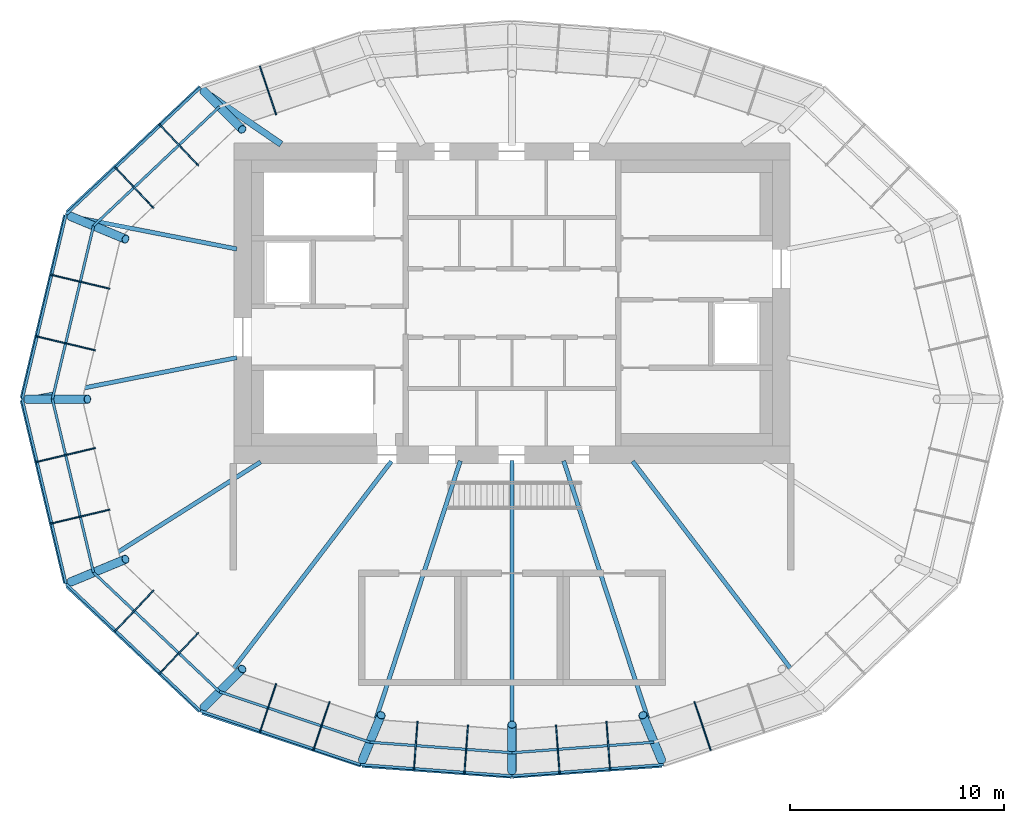
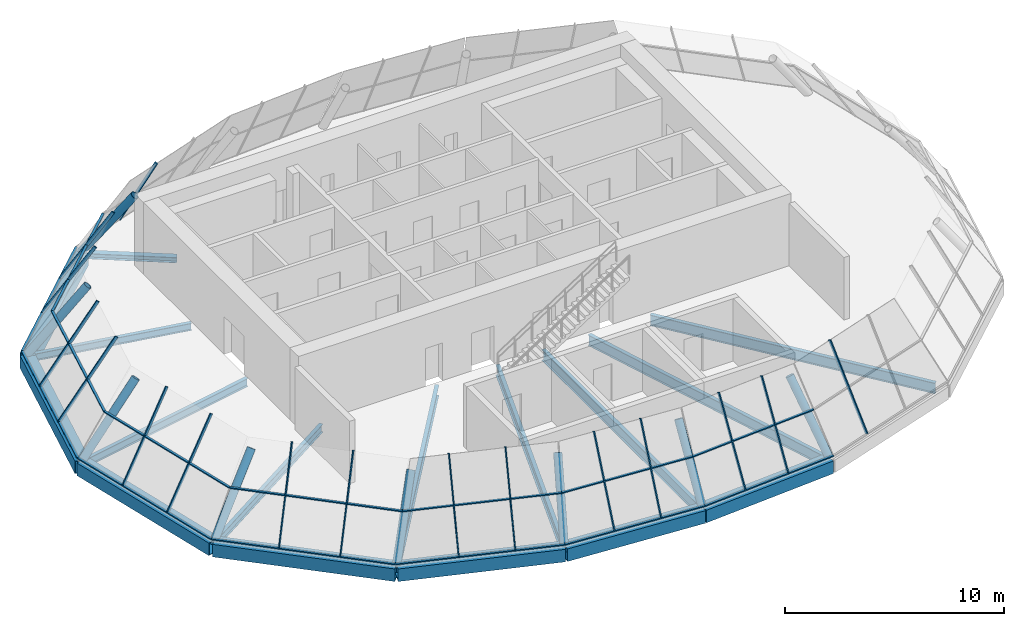
# One storey, part 1 of 8: 38 members, 16 beams, 9 elements without a shape of their own.
"""IFC4 building model written with IfcOpenShell, lengths in metres."""

from ifc_helpers import new_model, si_unit, direction, frame, origin, origin_2d, place, context, subcontext, project, spatial, rectangle, hollow_rectangle, hollow_circle, i_section, extrude, material, material_profile, profile_set, type_object, element, aggregate, save


model = new_model("IFC4")

# Units and contexts
model_context = context("Model", 3, precision=1e-05, world=origin(), true_north=direction((0.0, 1.0)))
body_context = subcontext(model_context, "Body", "Model", "MODEL_VIEW")
ifc_project = project(units=[si_unit("LENGTHUNIT", "METRE"), si_unit("AREAUNIT", "SQUARE_METRE"), si_unit("VOLUMEUNIT", "CUBIC_METRE"), si_unit("PLANEANGLEUNIT", "RADIAN"), si_unit("MASSUNIT", "GRAM", prefix="KILO")], contexts=[model_context])

# Site, building, storey
site_placement = place(None, origin())
site = spatial("IfcSite", under=ifc_project, at=site_placement, CompositionType="ELEMENT")
building_placement = place(site_placement, origin())
building = spatial("IfcBuilding", under=site, at=building_placement, Name="Rubra Terraces Tower", CompositionType="ELEMENT")
storey_placement = place(building_placement, frame((0.0, 0.0, 316.199951171875)))
storey = spatial("IfcBuildingStorey", under=building, at=storey_placement, Name="L78", CompositionType="ELEMENT", Elevation=316.199951171875)

# Members
ifc_material_1 = material(Name="Steel Q355B", Category="steel")
ifc_material_profile_1 = material_profile(ifc_material_1, hollow_circle(Radius=0.202880859375, WallThickness=0.01611328125, at=origin_2d()), Name="CHS 406x16")
ifc_profile_set_1 = profile_set([ifc_material_profile_1], Name="Steel Q355B")
member_type_1 = type_object("IfcMemberType", Name="CROWN POST CHS 406x16", PredefinedType="POST", material=ifc_profile_set_1)
member_1_placement = place(storey_placement, frame((-14.418212890625, 14.418212890625, -0.199951171875), z_axis=(0.407027405897, -0.407027405897, 0.817714731247), x_axis=(0.707106781187, 0.707106781187, 0.0)))
element("IfcMember", 1, at=member_1_placement, inside=storey, type_object=member_type_1, Name="CROWN POST", PredefinedType="POST", context=body_context, shape_type="SweptSolid", body=[
    extrude(hollow_circle(Radius=0.202880859375, WallThickness=0.01611328125, at=origin_2d()), origin(), (0.0, 0.0, 1.0), 4.402587890625),
])
member_2_placement = place(storey_placement, frame((-20.649658203125, 8.5537109375, -0.199951171875), z_axis=(0.563914666972, -0.233612582079, 0.792101893615), x_axis=(0.382727451417, 0.923861297994, 0.0)))
element("IfcMember", 2, at=member_2_placement, inside=storey, type_object=member_type_1, Name="CROWN POST", PredefinedType="POST", context=body_context, shape_type="SweptSolid", body=[
    extrude(hollow_circle(Radius=0.202880859375, WallThickness=0.01611328125, at=origin_2d()), origin(), (0.0, 0.0, 1.0), 4.544921875),
])
member_3_placement = place(storey_placement, frame((-22.68408203125, 0.0, -0.199951171875), z_axis=(0.615998522019, 0.0, 0.787747307752), x_axis=(0.0, 1.0, 0.0)))
element("IfcMember", 3, at=member_3_placement, inside=storey, type_object=member_type_1, Name="CROWN POST", PredefinedType="POST", context=body_context, shape_type="SweptSolid", body=[
    extrude(hollow_circle(Radius=0.202880859375, WallThickness=0.01611328125, at=origin_2d()), origin(), (0.0, 0.0, 1.0), 4.570068359375),
])
member_4_placement = place(storey_placement, frame((-20.649658203125, -8.5537109375, -0.199951171875), z_axis=(0.563914666972, 0.233612582079, 0.792101893615), x_axis=(-0.382727451417, 0.923861297994, 0.0)))
element("IfcMember", 4, at=member_4_placement, inside=storey, type_object=member_type_1, Name="CROWN POST", PredefinedType="POST", context=body_context, shape_type="SweptSolid", body=[
    extrude(hollow_circle(Radius=0.202880859375, WallThickness=0.01611328125, at=origin_2d()), origin(), (0.0, 0.0, 1.0), 4.544921875),
])
member_5_placement = place(storey_placement, frame((-14.418212890625, -14.418212890625, -0.199951171875), z_axis=(0.407027405897, 0.407027405897, 0.817714731247), x_axis=(-0.707106781187, 0.707106781187, 0.0)))
element("IfcMember", 5, at=member_5_placement, inside=storey, type_object=member_type_1, Name="CROWN POST", PredefinedType="POST", context=body_context, shape_type="SweptSolid", body=[
    extrude(hollow_circle(Radius=0.202880859375, WallThickness=0.01611328125, at=origin_2d()), origin(), (0.0, 0.0, 1.0), 4.402587890625),
])
member_6_placement = place(storey_placement, frame((-6.994873046875, -16.8876953125, -0.199951171875), z_axis=(0.204367805696, 0.493200756675, 0.845568928953), x_axis=(-0.923828290314, 0.382807118554, 0.0)))
element("IfcMember", 6, at=member_6_placement, inside=storey, type_object=member_type_1, Name="CROWN POST", PredefinedType="POST", context=body_context, shape_type="SweptSolid", body=[
    extrude(hollow_circle(Radius=0.202880859375, WallThickness=0.01611328125, at=origin_2d()), origin(), (0.0, 0.0, 1.0), 4.257568359375),
])
member_7_placement = place(storey_placement, frame((0.0, -17.39599609375, -0.199951171875), z_axis=(0.0, 0.515537908607, 0.856866771902), x_axis=(-1.0, 0.0, 0.0)))
element("IfcMember", 7, at=member_7_placement, inside=storey, type_object=member_type_1, Name="CROWN POST", PredefinedType="POST", context=body_context, shape_type="SweptSolid", body=[
    extrude(hollow_circle(Radius=0.202880859375, WallThickness=0.01611328125, at=origin_2d()), origin(), (0.0, 0.0, 1.0), 4.201416015625),
])
member_8_placement = place(storey_placement, frame((6.994873046875, -16.8876953125, -0.199951171875), z_axis=(-0.204367805696, 0.493200756675, 0.845568928953), x_axis=(-0.923828290314, -0.382807118554, 0.0)))
element("IfcMember", 8, at=member_8_placement, inside=storey, type_object=member_type_1, Name="CROWN POST", PredefinedType="POST", context=body_context, shape_type="SweptSolid", body=[
    extrude(hollow_circle(Radius=0.202880859375, WallThickness=0.01611328125, at=origin_2d()), origin(), (0.0, 0.0, 1.0), 4.257568359375),
])

# Beams
ifc_material_profile_2 = material_profile(ifc_material_1, hollow_rectangle(XDim=0.699951171875, YDim=0.699951171875, WallThickness=0.034912109375, at=origin_2d()), Name="BOX 700x700x35")
ifc_profile_set_2 = profile_set([ifc_material_profile_2], Name="Steel Q355B")
beam_type_1 = type_object("IfcBeamType", Name="CROWN RING GIRDER BOX 700x700x35", PredefinedType="BEAM", material=ifc_profile_set_2)
beam_1_placement = place(storey_placement, frame((-14.41796875, 14.41796875, -0.550048828125), z_axis=(-0.728277884999, -0.685281929005, 0.0), x_axis=(0.685281929005, -0.728277884999, 0.0)))
element("IfcBeam", 9, at=beam_1_placement, inside=storey, type_object=beam_type_1, Name="CROWN RING GIRDER", PredefinedType="BEAM", context=body_context, shape_type="SweptSolid", body=[
    extrude(hollow_rectangle(XDim=0.699951171875, YDim=0.699951171875, WallThickness=0.034912109375, at=origin_2d()), origin(), (0.0, 0.0, 1.0), 8.55712890625),
])
for number, where, z_axis, x_axis, name in (
    (10, (-20.64990234375, 8.553955078125, -0.550048828125), (-0.231353991916, -0.972869636912, 0.0), (0.972869636912, -0.231353991916, 0.0), "CROWN RING GIRDER"),
    (11, (-22.68408203125, 0.0, -0.550048828125), (0.231353991916, -0.972869636912, 0.0), (0.972869636912, 0.231353991916, 0.0), "CROWN RING GIRDER"),
):
    element("IfcBeam", number, at=place(storey_placement, frame(where, z_axis=z_axis, x_axis=x_axis)), inside=storey, type_object=beam_type_1, Name=name, PredefinedType="BEAM", context=body_context, shape_type="SweptSolid", body=[
        extrude(hollow_rectangle(XDim=0.699951171875, YDim=0.699951171875, WallThickness=0.034912109375, at=origin_2d()), origin(), (0.0, 0.0, 1.0), 8.79248046875),
    ])
beam_2_placement = place(storey_placement, frame((-20.64990234375, -8.553955078125, -0.550048828125), z_axis=(0.728277884999, -0.685281929005, 0.0), x_axis=(0.685281929005, 0.728277884999, 0.0)))
element("IfcBeam", 12, at=beam_2_placement, inside=storey, type_object=beam_type_1, Name="CROWN RING GIRDER", PredefinedType="BEAM", context=body_context, shape_type="SweptSolid", body=[
    extrude(hollow_rectangle(XDim=0.699951171875, YDim=0.699951171875, WallThickness=0.034912109375, at=origin_2d()), origin(), (0.0, 0.0, 1.0), 8.55712890625),
])
beam_3_placement = place(storey_placement, frame((-14.41796875, -14.41796875, -0.550048828125), z_axis=(0.948848570774, -0.315731515278, 0.0), x_axis=(0.315731515278, 0.948848570774, 0.0)))
element("IfcBeam", 13, at=beam_3_placement, inside=storey, type_object=beam_type_1, Name="CROWN RING GIRDER", PredefinedType="BEAM", context=body_context, shape_type="SweptSolid", body=[
    extrude(hollow_rectangle(XDim=0.699951171875, YDim=0.699951171875, WallThickness=0.034912109375, at=origin_2d()), origin(), (0.0, 0.0, 1.0), 7.822998046875),
])
for number, where, z_axis, x_axis, name in (
    (14, (-6.9951171875, -16.887939453125, -0.550048828125), (0.997372817782, -0.072439370159, 0.0), (0.072439370159, 0.997372817782, 0.0), "CROWN RING GIRDER"),
    (15, (0.0, -17.39599609375, -0.550048828125), (0.997372817782, 0.072439370159, 0.0), (-0.072439370159, 0.997372817782, 0.0), "CROWN RING GIRDER"),
):
    element("IfcBeam", number, at=place(storey_placement, frame(where, z_axis=z_axis, x_axis=x_axis)), inside=storey, type_object=beam_type_1, Name=name, PredefinedType="BEAM", context=body_context, shape_type="SweptSolid", body=[
        extrude(hollow_rectangle(XDim=0.699951171875, YDim=0.699951171875, WallThickness=0.034912109375, at=origin_2d()), origin(), (0.0, 0.0, 1.0), 7.013427734375),
    ])

# Curtain wall, member
ifc_material_2 = material(Name="Aluminium and glass", Category="aluminium")
curtain_wall_type = type_object("IfcCurtainWallType", Name="Curtain wall Crown glazing", PredefinedType="NOTDEFINED", material=ifc_material_2)
curtain_wall_1_placement = place(storey_placement, origin())
curtain_wall_1 = element("IfcCurtainWall", 16, at=curtain_wall_1_placement, inside=storey, type_object=curtain_wall_type, Name="Crown glazing L78 facet 6", PredefinedType="NOTDEFINED")
ifc_material_3 = material(Name="Aluminium, anodised dark grey", Category="aluminium")
ifc_material_profile_3 = material_profile(ifc_material_3, rectangle(XDim=0.06005859375, YDim=0.159912109375, at=origin_2d()), Name="AL 60x160")
ifc_profile_set_3 = profile_set([ifc_material_profile_3], Name="Aluminium, anodised dark grey")
member_type_2 = type_object("IfcMemberType", Name="Crown glazing mullion 60 x 160", PredefinedType="MULLION", material=ifc_profile_set_3)
member_9_placement = place(storey_placement, frame((-11.779296875, 15.525146484375, 0.0), z_axis=(0.151440150676, -0.45048458195, 0.879846306004), x_axis=(0.947873095388, 0.318648073961, 0.0)))
member_9 = element("IfcMember", 17, at=member_9_placement, type_object=member_type_2, Name="Crown glazing L78 facet 6 mullion 2", PredefinedType="MULLION", context=body_context, shape_type="SweptSolid", body=[
    extrude(rectangle(XDim=0.06005859375, YDim=0.159912109375, at=origin_2d()), origin(), (0.0, 0.0, 1.0), 4.7734375),
])
aggregate(curtain_wall_1, [member_9])

# Curtain wall, members
curtain_wall_2_placement = place(storey_placement, origin())
curtain_wall_2 = element("IfcCurtainWall", 18, at=curtain_wall_2_placement, inside=storey, type_object=curtain_wall_type, Name="Crown glazing L78 facet 7", PredefinedType="NOTDEFINED")
member_10_placement = place(storey_placement, frame((-16.45849609375, 12.809814453125, 0.0), z_axis=(0.354855679278, -0.375263987387, 0.856302742408), x_axis=(0.726588041538, 0.687073371551, 0.0)))
member_10 = element("IfcMember", 19, at=member_10_placement, type_object=member_type_2, Name="Crown glazing L78 facet 7 mullion 1", PredefinedType="MULLION", context=body_context, shape_type="SweptSolid", body=[
    extrude(rectangle(XDim=0.06005859375, YDim=0.159912109375, at=origin_2d()), origin(), (0.0, 0.0, 1.0), 4.90478515625),
])
member_11_placement = place(storey_placement, frame((-18.552490234375, 10.82958984375, 0.0), z_axis=(0.354862307471, -0.375221219487, 0.85631873691), x_axis=(0.72654253997, 0.687121486793, 0.0)))
member_11 = element("IfcMember", 20, at=member_11_placement, type_object=member_type_2, Name="Crown glazing L78 facet 7 mullion 2", PredefinedType="MULLION", context=body_context, shape_type="SweptSolid", body=[
    extrude(rectangle(XDim=0.06005859375, YDim=0.159912109375, at=origin_2d()), origin(), (0.0, 0.0, 1.0), 4.904541015625),
])

curtain_wall_3_placement = place(storey_placement, origin())
curtain_wall_3 = element("IfcCurtainWall", 21, at=curtain_wall_3_placement, inside=storey, type_object=curtain_wall_type, Name="Crown glazing L78 facet 8", PredefinedType="NOTDEFINED")
member_12_placement = place(storey_placement, frame((-21.536865234375, 5.812744140625, 0.0), z_axis=(0.531463799412, -0.126158745238, 0.837633691368), x_axis=(0.23096168003, 0.972962847368, 0.0)))
member_12 = element("IfcMember", 22, at=member_12_placement, type_object=member_type_2, Name="Crown glazing L78 facet 8 mullion 1", PredefinedType="MULLION", context=body_context, shape_type="SweptSolid", body=[
    extrude(rectangle(XDim=0.06005859375, YDim=0.159912109375, at=origin_2d()), origin(), (0.0, 0.0, 1.0), 5.01416015625),
])
member_13_placement = place(storey_placement, frame((-22.220947265625, 2.931884765625, 0.0), z_axis=(0.531463799412, -0.126158745238, 0.837633691368), x_axis=(0.23096168003, 0.972962847368, 0.0)))
member_13 = element("IfcMember", 23, at=member_13_placement, type_object=member_type_2, Name="Crown glazing L78 facet 8 mullion 2", PredefinedType="MULLION", context=body_context, shape_type="SweptSolid", body=[
    extrude(rectangle(XDim=0.06005859375, YDim=0.159912109375, at=origin_2d()), origin(), (0.0, 0.0, 1.0), 5.01416015625),
])

curtain_wall_4_placement = place(storey_placement, origin())
curtain_wall_4 = element("IfcCurtainWall", 24, at=curtain_wall_4_placement, inside=storey, type_object=curtain_wall_type, Name="Crown glazing L78 facet 9", PredefinedType="NOTDEFINED")
member_14_placement = place(storey_placement, frame((-22.220947265625, -2.931884765625, 0.0), z_axis=(0.531463799412, 0.126158745238, 0.837633691368), x_axis=(-0.23096168003, 0.972962847368, 0.0)))
member_14 = element("IfcMember", 25, at=member_14_placement, type_object=member_type_2, Name="Crown glazing L78 facet 9 mullion 1", PredefinedType="MULLION", context=body_context, shape_type="SweptSolid", body=[
    extrude(rectangle(XDim=0.06005859375, YDim=0.159912109375, at=origin_2d()), origin(), (0.0, 0.0, 1.0), 5.01416015625),
])
member_15_placement = place(storey_placement, frame((-21.536865234375, -5.812744140625, 0.0), z_axis=(0.531463799412, 0.126158745238, 0.837633691368), x_axis=(-0.23096168003, 0.972962847368, 0.0)))
member_15 = element("IfcMember", 26, at=member_15_placement, type_object=member_type_2, Name="Crown glazing L78 facet 9 mullion 2", PredefinedType="MULLION", context=body_context, shape_type="SweptSolid", body=[
    extrude(rectangle(XDim=0.06005859375, YDim=0.159912109375, at=origin_2d()), origin(), (0.0, 0.0, 1.0), 5.01416015625),
])

curtain_wall_5_placement = place(storey_placement, origin())
curtain_wall_5 = element("IfcCurtainWall", 27, at=curtain_wall_5_placement, inside=storey, type_object=curtain_wall_type, Name="Crown glazing L78 facet 10", PredefinedType="NOTDEFINED")
member_16_placement = place(storey_placement, frame((-18.552490234375, -10.82958984375, 0.0), z_axis=(0.354862307471, 0.375221219487, 0.85631873691), x_axis=(-0.72654253997, 0.687121486793, 0.0)))
member_16 = element("IfcMember", 28, at=member_16_placement, type_object=member_type_2, Name="Crown glazing L78 facet 10 mullion 1", PredefinedType="MULLION", context=body_context, shape_type="SweptSolid", body=[
    extrude(rectangle(XDim=0.06005859375, YDim=0.159912109375, at=origin_2d()), origin(), (0.0, 0.0, 1.0), 4.904541015625),
])
member_17_placement = place(storey_placement, frame((-16.45849609375, -12.809814453125, 0.0), z_axis=(0.354855679278, 0.375263987387, 0.856302742408), x_axis=(-0.726588041538, 0.687073371551, 0.0)))
member_17 = element("IfcMember", 29, at=member_17_placement, type_object=member_type_2, Name="Crown glazing L78 facet 10 mullion 2", PredefinedType="MULLION", context=body_context, shape_type="SweptSolid", body=[
    extrude(rectangle(XDim=0.06005859375, YDim=0.159912109375, at=origin_2d()), origin(), (0.0, 0.0, 1.0), 4.90478515625),
])

curtain_wall_6_placement = place(storey_placement, origin())
curtain_wall_6 = element("IfcCurtainWall", 30, at=curtain_wall_6_placement, inside=storey, type_object=curtain_wall_type, Name="Crown glazing L78 facet 11", PredefinedType="NOTDEFINED")
member_18_placement = place(storey_placement, frame((-11.779296875, -15.525146484375, 0.0), z_axis=(0.151440150676, 0.45048458195, 0.879846306004), x_axis=(-0.947873095388, 0.318648073961, 0.0)))
member_18 = element("IfcMember", 31, at=member_18_placement, type_object=member_type_2, Name="Crown glazing L78 facet 11 mullion 1", PredefinedType="MULLION", context=body_context, shape_type="SweptSolid", body=[
    extrude(rectangle(XDim=0.06005859375, YDim=0.159912109375, at=origin_2d()), origin(), (0.0, 0.0, 1.0), 4.7734375),
])
member_19_placement = place(storey_placement, frame((-9.279541015625, -16.365234375, 0.0), z_axis=(0.151390178125, 0.450488070583, 0.879853119691), x_axis=(-0.94790559539, 0.31855138083, 0.0)))
member_19 = element("IfcMember", 32, at=member_19_placement, type_object=member_type_2, Name="Crown glazing L78 facet 11 mullion 2", PredefinedType="MULLION", context=body_context, shape_type="SweptSolid", body=[
    extrude(rectangle(XDim=0.06005859375, YDim=0.159912109375, at=origin_2d()), origin(), (0.0, 0.0, 1.0), 4.7734375),
])

curtain_wall_7_placement = place(storey_placement, origin())
curtain_wall_7 = element("IfcCurtainWall", 33, at=curtain_wall_7_placement, inside=storey, type_object=curtain_wall_type, Name="Crown glazing L78 facet 12", PredefinedType="NOTDEFINED")
member_20_placement = place(storey_placement, frame((-4.585205078125, -17.28857421875, 0.0), z_axis=(0.033860993346, 0.456011942452, 0.889329264936), x_axis=(-0.997254474132, 0.074050751679, 0.0)))
member_20 = element("IfcMember", 34, at=member_20_placement, type_object=member_type_2, Name="Crown glazing L78 facet 12 mullion 1", PredefinedType="MULLION", context=body_context, shape_type="SweptSolid", body=[
    extrude(rectangle(XDim=0.06005859375, YDim=0.159912109375, at=origin_2d()), origin(), (0.0, 0.0, 1.0), 4.72265625),
])
member_21_placement = place(storey_placement, frame((-2.223876953125, -17.4638671875, 0.0), z_axis=(0.033861791571, 0.455970994889, 0.889350229601), x_axis=(-0.997253854091, 0.074059101409, 0.0)))
member_21 = element("IfcMember", 35, at=member_21_placement, type_object=member_type_2, Name="Crown glazing L78 facet 12 mullion 2", PredefinedType="MULLION", context=body_context, shape_type="SweptSolid", body=[
    extrude(rectangle(XDim=0.06005859375, YDim=0.159912109375, at=origin_2d()), origin(), (0.0, 0.0, 1.0), 4.722412109375),
])

curtain_wall_8_placement = place(storey_placement, origin())
curtain_wall_8 = element("IfcCurtainWall", 36, at=curtain_wall_8_placement, inside=storey, type_object=curtain_wall_type, Name="Crown glazing L78 facet 13", PredefinedType="NOTDEFINED")
member_22_placement = place(storey_placement, frame((2.223876953125, -17.4638671875, 0.0), z_axis=(-0.033861791571, 0.455970994889, 0.889350229601), x_axis=(-0.997253854091, -0.074059101409, 0.0)))
member_22 = element("IfcMember", 37, at=member_22_placement, type_object=member_type_2, Name="Crown glazing L78 facet 13 mullion 1", PredefinedType="MULLION", context=body_context, shape_type="SweptSolid", body=[
    extrude(rectangle(XDim=0.06005859375, YDim=0.159912109375, at=origin_2d()), origin(), (0.0, 0.0, 1.0), 4.722412109375),
])
member_23_placement = place(storey_placement, frame((4.585205078125, -17.28857421875, 0.0), z_axis=(-0.033860993346, 0.456011942452, 0.889329264936), x_axis=(-0.997254474132, -0.074050751679, 0.0)))
member_23 = element("IfcMember", 38, at=member_23_placement, type_object=member_type_2, Name="Crown glazing L78 facet 13 mullion 2", PredefinedType="MULLION", context=body_context, shape_type="SweptSolid", body=[
    extrude(rectangle(XDim=0.06005859375, YDim=0.159912109375, at=origin_2d()), origin(), (0.0, 0.0, 1.0), 4.72265625),
])

# Curtain wall, member
curtain_wall_9_placement = place(storey_placement, origin())
curtain_wall_9 = element("IfcCurtainWall", 39, at=curtain_wall_9_placement, inside=storey, type_object=curtain_wall_type, Name="Crown glazing L78 facet 14", PredefinedType="NOTDEFINED")
member_24_placement = place(storey_placement, frame((9.279541015625, -16.365234375, 0.0), z_axis=(-0.151390178125, 0.450488070583, 0.879853119691), x_axis=(-0.94790559539, -0.31855138083, 0.0)))
member_24 = element("IfcMember", 40, at=member_24_placement, type_object=member_type_2, Name="Crown glazing L78 facet 14 mullion 1", PredefinedType="MULLION", context=body_context, shape_type="SweptSolid", body=[
    extrude(rectangle(XDim=0.06005859375, YDim=0.159912109375, at=origin_2d()), origin(), (0.0, 0.0, 1.0), 4.7734375),
])
aggregate(curtain_wall_9, [member_24])

# Member
ifc_material_profile_4 = material_profile(ifc_material_3, rectangle(XDim=0.1201171875, YDim=0.06005859375, at=origin_2d()), Name="AL 120x60")
ifc_profile_set_4 = profile_set([ifc_material_profile_4], Name="Aluminium, anodised dark grey")
member_type_3 = type_object("IfcMemberType", Name="Crown glazing transom 120 x 60", PredefinedType="USERDEFINED", material=ifc_profile_set_4)
member_25_placement = place(storey_placement, frame((-14.5830078125, 14.5830078125, 0.0), z_axis=(-0.726611282361, -0.687048793278, 0.0), x_axis=(0.687048793278, -0.726611282361, 0.0)))
member_25 = element("IfcMember", 41, at=member_25_placement, type_object=member_type_3, Name="Crown glazing L78 facet 7 transom 1", ObjectType="TRANSOM", PredefinedType="USERDEFINED", context=body_context, shape_type="SweptSolid", body=[
    extrude(rectangle(XDim=0.1201171875, YDim=0.06005859375, at=origin_2d()), origin(), (0.0, 0.0, 1.0), 8.6455078125),
])

member_26_placement = place(storey_placement, frame((-13.68701171875, 13.68701171875, 2.10009765625), z_axis=(-0.726625900418, -0.687033333138, 0.0), x_axis=(0.687033333138, -0.726625900418, 0.0)))
member_26 = element("IfcMember", 42, at=member_26_placement, type_object=member_type_3, Name="Crown glazing L78 facet 7 transom 2", ObjectType="TRANSOM", PredefinedType="USERDEFINED", context=body_context, shape_type="SweptSolid", body=[
    extrude(rectangle(XDim=0.1201171875, YDim=0.06005859375, at=origin_2d()), origin(), (0.0, 0.0, 1.0), 8.114990234375),
])

aggregate(curtain_wall_2, [member_10, member_11, member_25, member_26])

member_27_placement = place(storey_placement, frame((-20.864990234375, 8.64306640625, 0.0), z_axis=(-0.230995033634, -0.972954929293, 0.0), x_axis=(0.972954929293, -0.230995033634, 0.0)))
member_27 = element("IfcMember", 43, at=member_27_placement, type_object=member_type_3, Name="Crown glazing L78 facet 8 transom 1", ObjectType="TRANSOM", PredefinedType="USERDEFINED", context=body_context, shape_type="SweptSolid", body=[
    extrude(rectangle(XDim=0.1201171875, YDim=0.06005859375, at=origin_2d()), origin(), (0.0, 0.0, 1.0), 8.88330078125),
])

member_28_placement = place(storey_placement, frame((-19.58349609375, 8.112060546875, 2.10009765625), z_axis=(-0.231005559401, -0.972952430248, 0.0), x_axis=(0.972952430248, -0.231005559401, 0.0)))
member_28 = element("IfcMember", 44, at=member_28_placement, type_object=member_type_3, Name="Crown glazing L78 facet 8 transom 2", ObjectType="TRANSOM", PredefinedType="USERDEFINED", context=body_context, shape_type="SweptSolid", body=[
    extrude(rectangle(XDim=0.1201171875, YDim=0.06005859375, at=origin_2d()), origin(), (0.0, 0.0, 1.0), 8.337646484375),
])

aggregate(curtain_wall_3, [member_12, member_13, member_27, member_28])

member_29_placement = place(storey_placement, frame((-22.9169921875, 0.0, 0.0), z_axis=(0.230995033634, -0.972954929293, 0.0), x_axis=(0.972954929293, 0.230995033634, 0.0)))
member_29 = element("IfcMember", 45, at=member_29_placement, type_object=member_type_3, Name="Crown glazing L78 facet 9 transom 1", ObjectType="TRANSOM", PredefinedType="USERDEFINED", context=body_context, shape_type="SweptSolid", body=[
    extrude(rectangle(XDim=0.1201171875, YDim=0.06005859375, at=origin_2d()), origin(), (0.0, 0.0, 1.0), 8.88330078125),
])

member_30_placement = place(storey_placement, frame((-21.509521484375, 0.0, 2.10009765625), z_axis=(0.231005559401, -0.972952430248, 0.0), x_axis=(0.972952430248, 0.231005559401, 0.0)))
member_30 = element("IfcMember", 46, at=member_30_placement, type_object=member_type_3, Name="Crown glazing L78 facet 9 transom 2", ObjectType="TRANSOM", PredefinedType="USERDEFINED", context=body_context, shape_type="SweptSolid", body=[
    extrude(rectangle(XDim=0.1201171875, YDim=0.06005859375, at=origin_2d()), origin(), (0.0, 0.0, 1.0), 8.337646484375),
])

aggregate(curtain_wall_4, [member_14, member_15, member_29, member_30])

member_31_placement = place(storey_placement, frame((-20.864990234375, -8.64306640625, 0.0), z_axis=(0.726611282361, -0.687048793278, 0.0), x_axis=(0.687048793278, 0.726611282361, 0.0)))
member_31 = element("IfcMember", 47, at=member_31_placement, type_object=member_type_3, Name="Crown glazing L78 facet 10 transom 1", ObjectType="TRANSOM", PredefinedType="USERDEFINED", context=body_context, shape_type="SweptSolid", body=[
    extrude(rectangle(XDim=0.1201171875, YDim=0.06005859375, at=origin_2d()), origin(), (0.0, 0.0, 1.0), 8.6455078125),
])

member_32_placement = place(storey_placement, frame((-19.58349609375, -8.11181640625, 2.10009765625), z_axis=(0.726625900418, -0.687033333138, 0.0), x_axis=(0.687033333138, 0.726625900418, 0.0)))
member_32 = element("IfcMember", 48, at=member_32_placement, type_object=member_type_3, Name="Crown glazing L78 facet 10 transom 2", ObjectType="TRANSOM", PredefinedType="USERDEFINED", context=body_context, shape_type="SweptSolid", body=[
    extrude(rectangle(XDim=0.1201171875, YDim=0.06005859375, at=origin_2d()), origin(), (0.0, 0.0, 1.0), 8.114990234375),
])

aggregate(curtain_wall_5, [member_16, member_17, member_31, member_32])

member_33_placement = place(storey_placement, frame((-14.5830078125, -14.5830078125, 0.0), z_axis=(0.947908963881, -0.318541357116, 0.0), x_axis=(0.318541357116, 0.947908963881, 0.0)))
member_33 = element("IfcMember", 49, at=member_33_placement, type_object=member_type_3, Name="Crown glazing L78 facet 11 transom 1", ObjectType="TRANSOM", PredefinedType="USERDEFINED", context=body_context, shape_type="SweptSolid", body=[
    extrude(rectangle(XDim=0.1201171875, YDim=0.06005859375, at=origin_2d()), origin(), (0.0, 0.0, 1.0), 7.9111328125),
])

member_34_placement = place(storey_placement, frame((-13.68701171875, -13.6875, 2.10009765625), z_axis=(0.947914369577, -0.318525270504, 0.0), x_axis=(0.318525270504, 0.947914369577, 0.0)))
member_34 = element("IfcMember", 50, at=member_34_placement, type_object=member_type_3, Name="Crown glazing L78 facet 11 transom 2", ObjectType="TRANSOM", PredefinedType="USERDEFINED", context=body_context, shape_type="SweptSolid", body=[
    extrude(rectangle(XDim=0.1201171875, YDim=0.06005859375, at=origin_2d()), origin(), (0.0, 0.0, 1.0), 7.4248046875),
])

aggregate(curtain_wall_6, [member_18, member_19, member_33, member_34])

member_35_placement = place(storey_placement, frame((-7.083984375, -17.10302734375, 0.0), z_axis=(0.997255925831, -0.074031198795, 0.0), x_axis=(0.074031198795, 0.997255925831, 0.0)))
member_35 = element("IfcMember", 51, at=member_35_placement, type_object=member_type_3, Name="Crown glazing L78 facet 12 transom 1", ObjectType="TRANSOM", PredefinedType="USERDEFINED", context=body_context, shape_type="SweptSolid", body=[
    extrude(rectangle(XDim=0.1201171875, YDim=0.06005859375, at=origin_2d()), origin(), (0.0, 0.0, 1.0), 7.103515625),
])

member_36_placement = place(storey_placement, frame((-6.64892578125, -16.052734375, 2.10009765625), z_axis=(0.99725515097, -0.074041636016, 0.0), x_axis=(0.074041636016, 0.99725515097, 0.0)))
member_36 = element("IfcMember", 52, at=member_36_placement, type_object=member_type_3, Name="Crown glazing L78 facet 12 transom 2", ObjectType="TRANSOM", PredefinedType="USERDEFINED", context=body_context, shape_type="SweptSolid", body=[
    extrude(rectangle(XDim=0.1201171875, YDim=0.06005859375, at=origin_2d()), origin(), (0.0, 0.0, 1.0), 6.667236328125),
])

aggregate(curtain_wall_7, [member_20, member_21, member_35, member_36])

member_37_placement = place(storey_placement, frame((0.0, -17.62890625, 0.0), z_axis=(0.997255925831, 0.074031198795, 0.0), x_axis=(-0.074031198795, 0.997255925831, 0.0)))
member_37 = element("IfcMember", 53, at=member_37_placement, type_object=member_type_3, Name="Crown glazing L78 facet 13 transom 1", ObjectType="TRANSOM", PredefinedType="USERDEFINED", context=body_context, shape_type="SweptSolid", body=[
    extrude(rectangle(XDim=0.1201171875, YDim=0.06005859375, at=origin_2d()), origin(), (0.0, 0.0, 1.0), 7.103515625),
])

member_38_placement = place(storey_placement, frame((0.0, -16.54638671875, 2.10009765625), z_axis=(0.99725515097, 0.074041636016, 0.0), x_axis=(-0.074041636016, 0.99725515097, 0.0)))
member_38 = element("IfcMember", 54, at=member_38_placement, type_object=member_type_3, Name="Crown glazing L78 facet 13 transom 2", ObjectType="TRANSOM", PredefinedType="USERDEFINED", context=body_context, shape_type="SweptSolid", body=[
    extrude(rectangle(XDim=0.1201171875, YDim=0.06005859375, at=origin_2d()), origin(), (0.0, 0.0, 1.0), 6.667236328125),
])

aggregate(curtain_wall_8, [member_22, member_23, member_37, member_38])

# Beams
ifc_material_profile_5 = material_profile(ifc_material_1, i_section(OverallWidth=0.199951171875, OverallDepth=0.39990234375, WebThickness=0.008056640625, FlangeThickness=0.012939453125, at=origin_2d()), Name="HN 400x200x8x13")
ifc_profile_set_5 = profile_set([ifc_material_profile_5], Name="Steel Q355B")
beam_type_2 = type_object("IfcBeamType", Name="FLOOR BEAM HN 400x200x8x13", PredefinedType="BEAM", material=ifc_profile_set_5)
beam_4_placement = place(storey_placement, frame((-20.305908203125, 8.486083984375, -0.39990234375), z_axis=(0.981279324935, -0.192589943805, 0.0), x_axis=(0.192589943805, 0.981279324935, 0.0)))
element("IfcBeam", 55, at=beam_4_placement, inside=storey, type_object=beam_type_2, Name="beam-L78-crown-floor-08", PredefinedType="BEAM", context=body_context, shape_type="SweptSolid", body=[
    extrude(i_section(OverallWidth=0.199951171875, OverallDepth=0.39990234375, WebThickness=0.008056640625, FlangeThickness=0.012939453125, at=origin_2d()), origin(), (0.0, 0.0, 1.0), 7.5654296875),
])
ifc_material_profile_6 = material_profile(ifc_material_1, i_section(OverallWidth=0.198974609375, OverallDepth=0.446044921875, WebThickness=0.008056640625, FlangeThickness=0.011962890625, at=origin_2d()), Name="HN 446x199x8x12")
ifc_profile_set_6 = profile_set([ifc_material_profile_6], Name="Steel Q355B")
beam_type_3 = type_object("IfcBeamType", Name="FLOOR BEAM HN 446x199x8x12", PredefinedType="BEAM", material=ifc_profile_set_6)
beam_5_placement = place(storey_placement, frame((-22.341064453125, 0.068115234375, -0.4228515625), z_axis=(0.98089489982, 0.194538416535, 0.0), x_axis=(-0.194538416535, 0.98089489982, 0.0)))
element("IfcBeam", 56, at=beam_5_placement, inside=storey, type_object=beam_type_3, Name="beam-L78-crown-floor-09", PredefinedType="BEAM", context=body_context, shape_type="SweptSolid", body=[
    extrude(i_section(OverallWidth=0.198974609375, OverallDepth=0.446044921875, WebThickness=0.008056640625, FlangeThickness=0.011962890625, at=origin_2d()), origin(), (0.0, 0.0, 1.0), 9.643310546875),
])
beam_6_placement = place(storey_placement, frame((-20.35400390625, -8.366943359375, -0.4228515625), z_axis=(0.845267934461, 0.534342698062, 0.0), x_axis=(-0.534342698062, 0.845267934461, 0.0)))
element("IfcBeam", 57, at=beam_6_placement, inside=storey, type_object=beam_type_3, Name="beam-L78-crown-floor-10", PredefinedType="BEAM", context=body_context, shape_type="SweptSolid", body=[
    extrude(i_section(OverallWidth=0.198974609375, OverallDepth=0.446044921875, WebThickness=0.008056640625, FlangeThickness=0.011962890625, at=origin_2d()), origin(), (0.0, 0.0, 1.0), 10.163818359375),
])
ifc_material_profile_7 = material_profile(ifc_material_1, i_section(OverallWidth=0.198974609375, OverallDepth=0.595947265625, WebThickness=0.010009765625, FlangeThickness=0.014892578125, at=origin_2d()), Name="HN 596x199x10x15")
ifc_profile_set_7 = profile_set([ifc_material_profile_7], Name="Steel Q355B")
beam_type_4 = type_object("IfcBeamType", Name="FLOOR BEAM HN 596x199x10x15", PredefinedType="BEAM", material=ifc_profile_set_7)
beam_7_placement = place(storey_placement, frame((-14.2060546875, -14.139892578125, -0.498046875), z_axis=(0.606181717529, 0.795326175436, 0.0), x_axis=(-0.795326175436, 0.606181717529, 0.0)))
element("IfcBeam", 58, at=beam_7_placement, inside=storey, type_object=beam_type_4, Name="beam-L78-crown-floor-11", PredefinedType="BEAM", context=body_context, shape_type="SweptSolid", body=[
    extrude(i_section(OverallWidth=0.198974609375, OverallDepth=0.595947265625, WebThickness=0.010009765625, FlangeThickness=0.014892578125, at=origin_2d()), origin(), (0.0, 0.0, 1.0), 14.126220703125),
])
beam_8_placement = place(storey_placement, frame((-6.885986328125, -16.554931640625, -0.498046875), z_axis=(0.310819079988, 0.950469094456, 0.0), x_axis=(-0.950469094456, 0.310819079988, 0.0)))
element("IfcBeam", 59, at=beam_8_placement, inside=storey, type_object=beam_type_4, Name="beam-L78-crown-floor-12", PredefinedType="BEAM", context=body_context, shape_type="SweptSolid", body=[
    extrude(i_section(OverallWidth=0.198974609375, OverallDepth=0.595947265625, WebThickness=0.010009765625, FlangeThickness=0.014892578125, at=origin_2d()), origin(), (0.0, 0.0, 1.0), 14.38134765625),
])
beam_9_placement = place(storey_placement, frame((0.0, -17.0458984375, -0.498046875), z_axis=(0.0, 1.0, 0.0), x_axis=(-1.0, 0.0, 0.0)))
element("IfcBeam", 60, at=beam_9_placement, inside=storey, type_object=beam_type_4, Name="beam-L78-crown-floor-13", PredefinedType="BEAM", context=body_context, shape_type="SweptSolid", body=[
    extrude(i_section(OverallWidth=0.198974609375, OverallDepth=0.595947265625, WebThickness=0.010009765625, FlangeThickness=0.014892578125, at=origin_2d()), origin(), (0.0, 0.0, 1.0), 14.166015625),
])
beam_10_placement = place(storey_placement, frame((6.885986328125, -16.554931640625, -0.498046875), z_axis=(-0.310819079988, 0.950469094456, 0.0), x_axis=(-0.950469094456, -0.310819079988, 0.0)))
element("IfcBeam", 61, at=beam_10_placement, inside=storey, type_object=beam_type_4, Name="beam-L78-crown-floor-14", PredefinedType="BEAM", context=body_context, shape_type="SweptSolid", body=[
    extrude(i_section(OverallWidth=0.198974609375, OverallDepth=0.595947265625, WebThickness=0.010009765625, FlangeThickness=0.014892578125, at=origin_2d()), origin(), (0.0, 0.0, 1.0), 14.38134765625),
])
beam_11_placement = place(storey_placement, frame((14.2060546875, -14.139892578125, -0.498046875), z_axis=(-0.606181717529, 0.795326175436, 0.0), x_axis=(-0.795326175436, -0.606181717529, 0.0)))
element("IfcBeam", 62, at=beam_11_placement, inside=storey, type_object=beam_type_4, Name="beam-L78-crown-floor-15", PredefinedType="BEAM", context=body_context, shape_type="SweptSolid", body=[
    extrude(i_section(OverallWidth=0.198974609375, OverallDepth=0.595947265625, WebThickness=0.010009765625, FlangeThickness=0.014892578125, at=origin_2d()), origin(), (0.0, 0.0, 1.0), 14.126220703125),
])
ifc_material_profile_8 = material_profile(ifc_material_1, i_section(OverallWidth=0.304931640625, OverallDepth=0.300048828125, WebThickness=0.014892578125, FlangeThickness=0.014892578125, at=origin_2d()), Name="HW 300x305x15x15")
ifc_profile_set_8 = profile_set([ifc_material_profile_8], Name="Steel Q355B")
beam_type_5 = type_object("IfcBeamType", Name="FLOOR BEAM HW 300x305x15x15", PredefinedType="BEAM", material=ifc_profile_set_8)
beam_12_placement = place(storey_placement, frame((-14.1298828125, 14.219970703125, -0.349853515625), z_axis=(0.823867193842, -0.566782892218, 0.0), x_axis=(0.566782892218, 0.823867193842, 0.0)))
element("IfcBeam", 63, at=beam_12_placement, inside=storey, type_object=beam_type_5, Name="beam-L78-crown-floor-07", PredefinedType="BEAM", context=body_context, shape_type="SweptSolid", body=[
    extrude(i_section(OverallWidth=0.304931640625, OverallDepth=0.300048828125, WebThickness=0.014892578125, FlangeThickness=0.014892578125, at=origin_2d()), origin(), (0.0, 0.0, 1.0), 4.036865234375),
])

save(model, "model.ifc")
